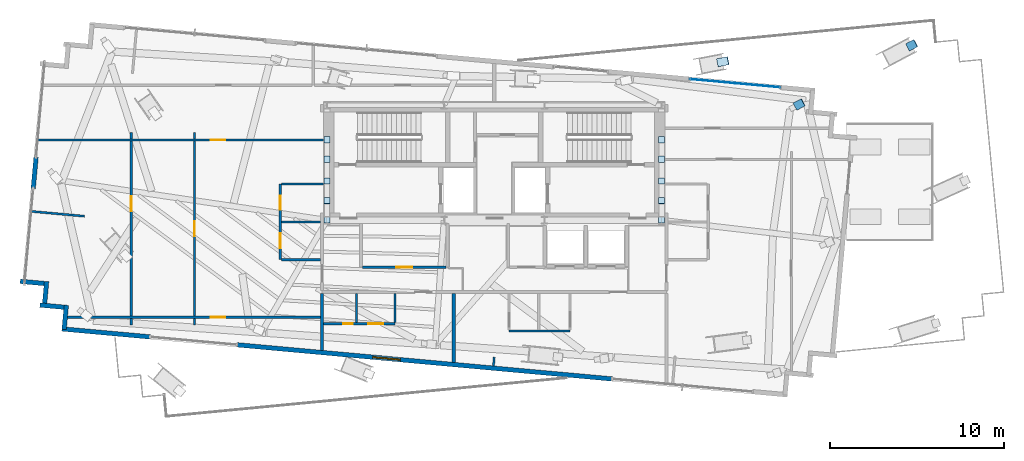
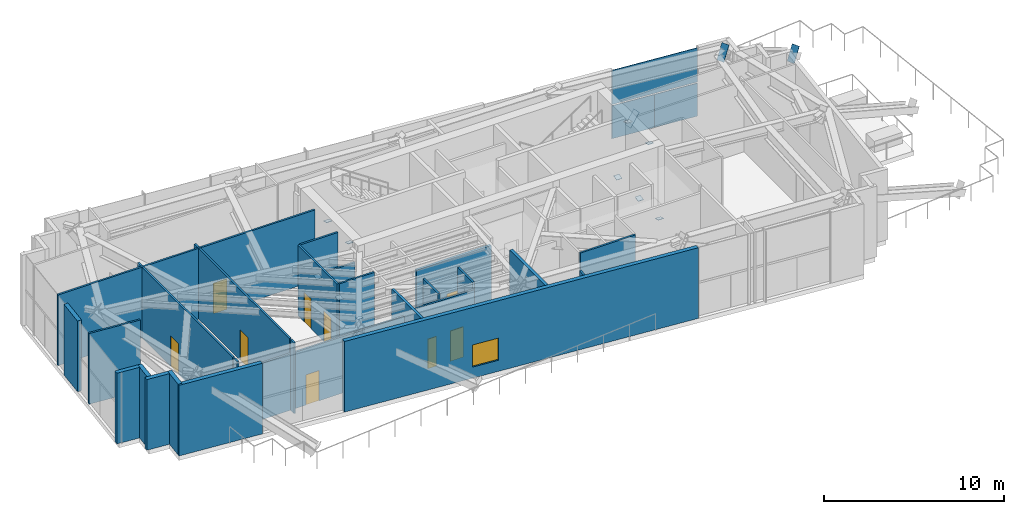
# One storey, part 13 of 20: 28 walls, 16 plates, 9 doors, 1 window, 10 openings, 1 element without a shape of its own.
"""IFC4 building model written with IfcOpenShell, lengths in metres."""

from ifc_helpers import new_model, si_unit, direction, frame, frame_2d, origin, origin_2d, place, context, subcontext, project, spatial, rectangle, extrude, source, transform, mapped, material, layer, layer_set, type_object, type_shapes, element, fill, aggregate, save


model = new_model("IFC4")

# Units and contexts
model_context = context("Model", 3, precision=1e-05, world=origin(), true_north=direction((0.0, 1.0)))
body_context = subcontext(model_context, "Body", "Model", "MODEL_VIEW")
ifc_project = project(units=[si_unit("LENGTHUNIT", "METRE"), si_unit("AREAUNIT", "SQUARE_METRE"), si_unit("VOLUMEUNIT", "CUBIC_METRE"), si_unit("PLANEANGLEUNIT", "RADIAN"), si_unit("MASSUNIT", "GRAM", prefix="KILO")], contexts=[model_context])

# Site, building, storey
site_placement = place(None, origin())
site = spatial("IfcSite", under=ifc_project, at=site_placement, CompositionType="ELEMENT")
building_placement = place(site_placement, origin())
building = spatial("IfcBuilding", under=site, at=building_placement, Name="Astriad Promenade Condominiums", CompositionType="ELEMENT")
storey_placement = place(building_placement, frame((0.0, 0.0, 211.39990234375)))
storey = spatial("IfcBuildingStorey", under=building, at=storey_placement, Name="L61", CompositionType="ELEMENT", Elevation=211.39990234375)

# Plates
ifc_material_1 = material(Name="Steel ASTM A572 Grade 50", Category="steel")
ifc_layer_1 = layer(ifc_material_1, 0.02490234375)
ifc_layer_set_1 = layer_set([ifc_layer_1], Name="Steel ASTM A572 Grade 50")
plate_type_1 = type_object("IfcPlateType", Name="STEEL HOLLOW SECTION END CAP PLATE 30", PredefinedType="USERDEFINED", material=ifc_layer_set_1)
shared_shape_1 = source(origin(), body_context, "Body", "SweptSolid", [
    extrude(rectangle(XDim=0.467529296875, YDim=1.015625, at=origin_2d()), origin(), (0.0, 0.0, 1.0), 0.02490234375),
])
for number, where, z_axis, x_axis, name in (
    (1, (49.125, 26.4931640625, 0.164794921875), (-0.772001612871, -0.149003860975, 0.617908859897), (0.189512129462, -0.981878379835, 0.0), "Hollow Section End Cap Plate COL-PC09-L61-A"),
    (2, (59.96337890625, 27.44140625, 0.18212890625), (-0.757808476716, -0.398596361851, 0.516572601806), (0.465517591586, -0.885038627363, 0.0), "Hollow Section End Cap Plate COL-PC10-L61-A"),
    (3, (53.50439453125, 24.044189453125, 4.585205078125), (-0.757808476716, -0.398596361851, 0.516572601806), (0.465517591586, -0.885038627363, 0.0), "Hollow Section End Cap Plate COL-PC10-L61-B"),
):
    element("IfcPlate", number, at=place(storey_placement, frame(where, z_axis=z_axis, x_axis=x_axis)), inside=storey, type_object=plate_type_1, Name=name, ObjectType="STIFFENER_PLATE", PredefinedType="USERDEFINED", context=body_context, shape_type="MappedRepresentation", body=[
        mapped(shared_shape_1, transform((0.0, 0.0, 0.0), scale=1.0)),
    ])
shared_shape_2 = source(origin(), body_context, "Body", "SweptSolid", [
    extrude(rectangle(XDim=0.348876953125, YDim=0.36279296875, at=origin_2d()), origin(), (0.0, 0.0, 1.0), 0.02490234375),
])
type_shapes(plate_type_1, [shared_shape_1, shared_shape_2])
for number, where, z_axis, x_axis, name in (
    (4, (26.39990234375, 17.400146484375, 0.14013671875), (0.0, 0.243962938919, 0.969784555679), (1.0, 0.0, 0.0), "Hollow Section End Cap Plate BRACE-TR-L61-01A-A"),
    (5, (26.39990234375, 18.515869140625, 4.575927734375), (0.0, 0.243962938919, 0.969784555679), (1.0, 0.0, 0.0), "Hollow Section End Cap Plate BRACE-TR-L61-01A-B"),
    (6, (26.39990234375, 19.643798828125, 0.14013671875), (0.0, -0.243962938919, 0.969784555679), (1.0, 0.0, 0.0), "Hollow Section End Cap Plate BRACE-TR-L61-01B-A"),
    (7, (26.39990234375, 20.89208984375, 4.575927734375), (0.0, 0.243962938919, 0.969784555679), (1.0, 0.0, 0.0), "Hollow Section End Cap Plate BRACE-TR-L61-02A-B"),
    (8, (26.39990234375, 22.019775390625, 0.14013671875), (0.0, -0.243962938919, 0.969784555679), (1.0, 0.0, 0.0), "Hollow Section End Cap Plate BRACE-TR-L61-02B-A"),
    (9, (45.60009765625, 17.400146484375, 0.14013671875), (0.0, 0.243962938919, 0.969784555679), (1.0, 0.0, 0.0), "Hollow Section End Cap Plate BRACE-TR-L61-03A-A"),
    (10, (45.60009765625, 18.515869140625, 4.575927734375), (0.0, 0.243962938919, 0.969784555679), (1.0, 0.0, 0.0), "Hollow Section End Cap Plate BRACE-TR-L61-03A-B"),
    (11, (45.60009765625, 19.643798828125, 0.14013671875), (0.0, -0.243962938919, 0.969784555679), (1.0, 0.0, 0.0), "Hollow Section End Cap Plate BRACE-TR-L61-03B-A"),
    (12, (45.60009765625, 20.89208984375, 4.575927734375), (0.0, 0.243962938919, 0.969784555679), (1.0, 0.0, 0.0), "Hollow Section End Cap Plate BRACE-TR-L61-04A-B"),
    (13, (45.60009765625, 22.019775390625, 0.14013671875), (0.0, -0.243962938919, 0.969784555679), (1.0, 0.0, 0.0), "Hollow Section End Cap Plate BRACE-TR-L61-04B-A"),
):
    element("IfcPlate", number, at=place(storey_placement, frame(where, z_axis=z_axis, x_axis=x_axis)), inside=storey, type_object=plate_type_1, Name=name, ObjectType="STIFFENER_PLATE", PredefinedType="USERDEFINED", context=body_context, shape_type="MappedRepresentation", body=[
        mapped(shared_shape_2, transform((0.0, 0.0, 0.0), scale=1.0)),
    ])

# Curtain wall, plates
ifc_material_2 = material(Name="Anodised aluminium Black Dark Glass Unitised", Category="aluminium")
curtain_wall_type = type_object("IfcCurtainWallType", Name="CW-B5-DARK", PredefinedType="USERDEFINED", material=ifc_material_2)
curtain_wall_placement = place(storey_placement, origin())
curtain_wall = element("IfcCurtainWall", 14, at=curtain_wall_placement, inside=storey, type_object=curtain_wall_type, Name="CW-L61-N-4", ObjectType="UNITISED_CURTAIN_WALL", PredefinedType="USERDEFINED")
ifc_material_3 = material(Name="Dark Tinted Low-E Laminated Glass", Category="glass")
ifc_layer_2 = layer(ifc_material_3, 0.035888671875)
ifc_layer_set_2 = layer_set([ifc_layer_2], Name="Dark Tinted Low-E Laminated Glass")
plate_type_2 = type_object("IfcPlateType", Name="PNL-DARK-GLASS-36", PredefinedType="CURTAIN_PANEL", material=ifc_layer_set_2)
shared_shape_3 = source(origin(), body_context, "Body", "SweptSolid", [
    extrude(rectangle(XDim=2.60302734375, YDim=0.035888671875, at=origin_2d()), origin(), (0.0, 0.0, 1.0), 2.22998046875),
])
plate_1_placement = place(storey_placement, frame((48.510498046875, 25.37646484375, 0.080078125), z_axis=(0.0, 0.0, 1.0), x_axis=(0.995884398616, -0.090632580198, 0.0)))
plate_1 = element("IfcPlate", 15, at=plate_1_placement, type_object=plate_type_2, Name="CW-L61-N-4-PNL-00-VL", PredefinedType="CURTAIN_PANEL", context=body_context, shape_type="MappedRepresentation", body=[
    mapped(shared_shape_3, transform((0.0, 0.0, 0.0), scale=1.0)),
])
plate_2_placement = place(storey_placement, frame((51.114990234375, 25.139404296875, 0.080078125), z_axis=(0.0, 0.0, 1.0), x_axis=(0.995884398616, -0.090632580198, 0.0)))
plate_2 = element("IfcPlate", 16, at=plate_2_placement, type_object=plate_type_2, Name="CW-L61-N-4-PNL-00-VR", PredefinedType="CURTAIN_PANEL", context=body_context, shape_type="MappedRepresentation", body=[
    mapped(shared_shape_3, transform((0.0, 0.0, 0.0), scale=1.0)),
])
shared_shape_4 = source(origin(), body_context, "Body", "SweptSolid", [
    extrude(rectangle(XDim=5.218017578125, YDim=0.035888671875, at=origin_2d()), origin(), (0.0, 0.0, 1.0), 2.31005859375),
])
type_shapes(plate_type_2, [shared_shape_3, shared_shape_4])
plate_3_placement = place(storey_placement, frame((49.812744140625, 25.258056640625, 2.39013671875), z_axis=(0.0, 0.0, 1.0), x_axis=(0.995884398616, -0.090632580198, 0.0)))
plate_3 = element("IfcPlate", 17, at=plate_3_placement, type_object=plate_type_2, Name="CW-L61-N-4-PNL-00-S", PredefinedType="CURTAIN_PANEL", context=body_context, shape_type="MappedRepresentation", body=[
    mapped(shared_shape_4, transform((0.0, 0.0, 0.0), scale=1.0)),
])
aggregate(curtain_wall, [plate_1, plate_2, plate_3])

# Wall
ifc_material_4 = material(Name="Fire-Rated Gypsum Partition")
ifc_layer_3 = layer(ifc_material_4, 0.159912109375)
ifc_layer_set_3 = layer_set([ifc_layer_3], Name="Fire-Rated Gypsum Partition")
wall_type_1 = type_object("IfcWallType", Name="WALL-CORR-160", PredefinedType="PARTITIONING", material=ifc_layer_set_3)
wall_1_placement = place(storey_placement, frame((26.1201171875, 9.93408203125, 0.0), z_axis=(0.0, 0.0, 1.0), x_axis=(0.0, 1.0, 0.0)))
element("IfcWall", 18, at=wall_1_placement, inside=storey, type_object=wall_type_1, Name="PT-COR-W-L61", PredefinedType="PARTITIONING", context=body_context, shape_type="SweptSolid", body=[
    extrude(rectangle(XDim=3.263916015625, YDim=0.159912109375, at=frame_2d((1.6318359375, 0.0))), origin(), (0.0, 0.0, 1.0), 4.780029296875),
])

# Wall, opening, door
wall_2_placement = place(storey_placement, frame((28.44189453125, 14.699951171875, 0.0), z_axis=(0.0, 0.0, 1.0), x_axis=(1.0, 0.0, 0.0)))
wall_2 = element("IfcWall", 19, at=wall_2_placement, inside=storey, type_object=wall_type_1, Name="PT-Z3REC-S-L61", PredefinedType="PARTITIONING", context=body_context, shape_type="SweptSolid", body=[
    extrude(rectangle(XDim=4.796142578125, YDim=0.159912109375, at=frame_2d((2.39794921875, 0.0))), origin(), (0.0, 0.0, 1.0), 4.3447265625),
])
opening_1_placement = place(wall_2_placement, frame((1.947998046875, 0.0, 0.0)))
opening_1 = element("IfcOpeningElement", 20, at=opening_1_placement, cuts=wall_2, Name="Opening D-INT-090", PredefinedType="OPENING", context=body_context, shape_type="SweptSolid", body=[
    extrude(rectangle(XDim=0.89990234375, YDim=2.050048828125, at=frame_2d((0.449951171875, 1.02490234375))), frame((0.0, 0.08984375, 0.0), z_axis=(0.0, -1.0, 0.0), x_axis=(1.0, 0.0, 0.0)), (0.0, 0.0, 1.0), 0.179931640625),
])
ifc_material_5 = material(Name="Painted Solid-Core Timber Bedroom Door", Category="wood")
door_type_1 = type_object("IfcDoorType", Name="D-INT-090", OperationType="NOTDEFINED", PredefinedType="DOOR", material=ifc_material_5)
shared_shape_5 = source(origin(), body_context, "Body", "SweptSolid", [
    extrude(rectangle(XDim=0.89990234375, YDim=2.050048828125, at=frame_2d((0.449951171875, 1.02490234375))), frame((0.0, 0.02490234375, 0.0), z_axis=(0.0, -1.0, 0.0), x_axis=(1.0, 0.0, 0.0)), (0.0, 0.0, 1.0), 0.050048828125),
])
type_shapes(door_type_1, [shared_shape_5])
door_1_placement = place(opening_1_placement, origin())
door_1 = element("IfcDoor", 21, at=door_1_placement, inside=storey, type_object=door_type_1, Name="D-AWC-L61", OperationType="SINGLE_SWING_RIGHT", OverallHeight=2.050048828125, OverallWidth=0.89990234375, PredefinedType="DOOR", context=body_context, shape_type="MappedRepresentation", body=[
    mapped(shared_shape_5, transform((0.0, 0.0, 0.0), scale=1.0)),
])
fill(opening_1, door_1)

# Walls
ifc_material_6 = material(Name="Acoustic Double-Stud Gypsum Partition")
ifc_layer_4 = layer(ifc_material_6, 0.199951171875)
ifc_layer_set_4 = layer_set([ifc_layer_4], Name="Acoustic Double-Stud Gypsum Partition")
wall_type_2 = type_object("IfcWallType", Name="WALL-DEMISING-200", PredefinedType="PARTITIONING", material=ifc_layer_set_4)
wall_3_placement = place(storey_placement, frame((33.678955078125, 9.246337890625, 0.0), z_axis=(0.0, 0.0, 1.0), x_axis=(0.0, 1.0, 0.0)))
element("IfcWall", 22, at=wall_3_placement, inside=storey, type_object=wall_type_2, Name="PT-DEM-S1-L61", PredefinedType="PARTITIONING", context=body_context, shape_type="SweptSolid", body=[
    extrude(rectangle(XDim=3.95166015625, YDim=0.199951171875, at=frame_2d((1.975830078125, 0.0))), origin(), (0.0, 0.0, 1.0), 4.780029296875),
])
ifc_material_7 = material(Name="Precast concrete C50/60", Category="concrete")
ifc_layer_5 = layer(ifc_material_7, 0.260009765625)
ifc_layer_set_5 = layer_set([ifc_layer_5], Name="Precast concrete C50/60")
wall_type_3 = type_object("IfcWallType", Name="WALL-EXT-TWR-260", PredefinedType="STANDARD", material=ifc_layer_set_5)
wall_4_placement = place(storey_placement, frame((11.3193359375, 12.40380859375, 0.0), z_axis=(0.0, 0.0, 1.0), x_axis=(-0.995881721538, 0.090661991521, 0.0)))
element("IfcWall", 23, at=wall_4_placement, inside=storey, type_object=wall_type_3, Name="W-SER-L61-00", PredefinedType="STANDARD", context=body_context, shape_type="SweptSolid", body=[
    extrude(rectangle(XDim=1.39501953125, YDim=0.260009765625, at=frame_2d((0.697509765625, 0.0))), origin(), (0.0, 0.0, 1.0), 4.780029296875),
])
wall_5_placement = place(storey_placement, frame((10.187744140625, 12.49169921875, 0.0), z_axis=(0.0, 0.0, 1.0), x_axis=(0.090646191665, 0.995883159782, 0.0)))
element("IfcWall", 24, at=wall_5_placement, inside=storey, type_object=wall_type_3, Name="W-SER-L61-01", PredefinedType="STANDARD", context=body_context, shape_type="SweptSolid", body=[
    extrude(rectangle(XDim=1.395263671875, YDim=0.260009765625, at=frame_2d((0.69775390625, 0.0))), origin(), (0.0, 0.0, 1.0), 4.780029296875),
])
wall_6_placement = place(storey_placement, frame((10.187744140625, 13.761962890625, 0.0), z_axis=(0.0, 0.0, 1.0), x_axis=(-0.995881721538, 0.090661991521, 0.0)))
element("IfcWall", 25, at=wall_6_placement, inside=storey, type_object=wall_type_3, Name="W-SER-L61-02", PredefinedType="STANDARD", context=body_context, shape_type="SweptSolid", body=[
    extrude(rectangle(XDim=1.39501953125, YDim=0.260009765625, at=frame_2d((0.697509765625, 0.0))), origin(), (0.0, 0.0, 1.0), 4.780029296875),
])
wall_7_placement = place(storey_placement, frame((9.544189453125, 19.212646484375, 0.0), z_axis=(0.0, 0.0, 1.0), x_axis=(0.090731396305, 0.995875400703, 0.0)))
element("IfcWall", 26, at=wall_7_placement, inside=storey, type_object=wall_type_3, Name="W-SGCOL-L61-W-1", PredefinedType="STANDARD", context=body_context, shape_type="SweptSolid", body=[
    extrude(rectangle(XDim=1.800048828125, YDim=0.260009765625, at=frame_2d((0.89990234375, 0.0))), origin(), (0.0, 0.0, 1.0), 4.780029296875),
])

# Wall, opening, window
wall_8_placement = place(storey_placement, frame((42.7607421875, 8.287353515625, 0.0), z_axis=(0.0, 0.0, 1.0), x_axis=(-0.995884956798, 0.090626446601, 0.0)))
wall_8 = element("IfcWall", 27, at=wall_8_placement, inside=storey, type_object=wall_type_3, Name="W-SGCOL-L61-S-2", PredefinedType="STANDARD", context=body_context, shape_type="SweptSolid", body=[
    extrude(rectangle(XDim=21.599853515625, YDim=0.260009765625, at=frame_2d((10.7998046875, 0.0))), origin(), (0.0, 0.0, 1.0), 4.780029296875),
])
opening_2_placement = place(wall_8_placement, frame((12.194091796875, 0.0, 0.75)))
opening_2 = element("IfcOpeningElement", 28, at=opening_2_placement, cuts=wall_8, Name="Opening WIN-TWR-1620", PredefinedType="OPENING", context=body_context, shape_type="SweptSolid", body=[
    extrude(rectangle(XDim=1.60009765625, YDim=1.5, at=frame_2d((0.800048828125, 0.75))), frame((0.0, 0.139892578125, 0.0), z_axis=(0.0, -1.0, 0.0), x_axis=(1.0, 0.0, 0.0)), (0.0, 0.0, 1.0), 0.280029296875),
])
ifc_material_8 = material(Name="Dark Tinted Triple-Glazed Aluminium Window", Category="aluminium")
window_type = type_object("IfcWindowType", Name="WIN-TWR-1620", PartitioningType="SINGLE_PANEL", PredefinedType="WINDOW", material=ifc_material_8)
shared_shape_6 = source(origin(), body_context, "Body", "SweptSolid", [
    extrude(rectangle(XDim=1.60009765625, YDim=1.5, at=frame_2d((0.800048828125, 0.75))), frame((0.0, 0.030029296875, 0.0), z_axis=(0.0, -1.0, 0.0), x_axis=(1.0, 0.0, 0.0)), (0.0, 0.0, 1.0), 0.06005859375),
])
type_shapes(window_type, [shared_shape_6])
window_placement = place(opening_2_placement, origin())
window = element("IfcWindow", 29, at=window_placement, inside=storey, type_object=window_type, Name="WIN-DW-L61-S1-STD", OverallHeight=1.5, OverallWidth=1.60009765625, PartitioningType="SINGLE_PANEL", PredefinedType="WINDOW", context=body_context, shape_type="MappedRepresentation", body=[
    mapped(shared_shape_6, transform((0.0, 0.0, 0.0), scale=1.0)),
])
fill(opening_2, window)

# Walls
wall_9_placement = place(storey_placement, frame((16.26025390625, 10.698974609375, 0.0), z_axis=(0.0, 0.0, 1.0), x_axis=(-0.995882584574, 0.09065251095, 0.0)))
element("IfcWall", 30, at=wall_9_placement, inside=storey, type_object=wall_type_3, Name="W-SGCOL-L61-S-3", PredefinedType="STANDARD", context=body_context, shape_type="SweptSolid", body=[
    extrude(rectangle(XDim=5.090087890625, YDim=0.260009765625, at=frame_2d((2.544921875, 0.0))), origin(), (0.0, 0.0, 1.0), 4.780029296875),
])
wall_10_placement = place(storey_placement, frame((11.3193359375, 11.133544921875, 0.0), z_axis=(0.0, 0.0, 1.0), x_axis=(0.090661991521, 0.995881721538, 0.0)))
element("IfcWall", 31, at=wall_10_placement, inside=storey, type_object=wall_type_3, Name="W-SER-L61-19", PredefinedType="STANDARD", context=body_context, shape_type="SweptSolid", body=[
    extrude(rectangle(XDim=1.39501953125, YDim=0.260009765625, at=frame_2d((0.697509765625, 0.0))), origin(), (0.0, 0.0, 1.0), 4.780029296875),
])

# Wall, openings, doors
ifc_material_9 = material(Name="Acoustic Metal-Stud Gypsum Partition")
ifc_layer_6 = layer(ifc_material_9, 0.1201171875)
ifc_layer_set_6 = layer_set([ifc_layer_6], Name="Acoustic Metal-Stud Gypsum Partition")
wall_type_4 = type_object("IfcWallType", Name="WALL-PART-120", PredefinedType="PARTITIONING", material=ifc_layer_set_6)
wall_11_placement = place(storey_placement, frame((26.201904296875, 11.455078125, 0.0), z_axis=(0.0, 0.0, 1.0), x_axis=(1.0, 0.0, 0.0)))
wall_11 = element("IfcWall", 32, at=wall_11_placement, inside=storey, type_object=wall_type_4, Name="PT-L61-S1-PS", PredefinedType="PARTITIONING", context=body_context, shape_type="SweptSolid", body=[
    extrude(rectangle(XDim=4.09814453125, YDim=0.1201171875, at=frame_2d((2.049072265625, 0.0))), origin(), (0.0, 0.0, 1.0), 4.3447265625),
])
opening_3_placement = place(wall_11_placement, frame((1.139892578125, 0.0, 0.0)))
opening_3 = element("IfcOpeningElement", 33, at=opening_3_placement, cuts=wall_11, Name="Opening D-AC-055", PredefinedType="OPENING", context=body_context, shape_type="SweptSolid", body=[
    extrude(rectangle(XDim=0.550048828125, YDim=2.0, at=frame_2d((0.27490234375, 1.0))), frame((0.0, 0.070068359375, 0.0), z_axis=(0.0, -1.0, 0.0), x_axis=(1.0, 0.0, 0.0)), (0.0, 0.0, 1.0), 0.14013671875),
])
opening_4_placement = place(wall_11_placement, frame((2.572998046875, 0.0, 0.0)))
opening_4 = element("IfcOpeningElement", 34, at=opening_4_placement, cuts=wall_11, Name="Opening D-INT-085", PredefinedType="OPENING", context=body_context, shape_type="SweptSolid", body=[
    extrude(rectangle(XDim=0.85009765625, YDim=2.050048828125, at=frame_2d((0.425048828125, 1.02490234375))), frame((0.0, 0.070068359375, 0.0), z_axis=(0.0, -1.0, 0.0), x_axis=(1.0, 0.0, 0.0)), (0.0, 0.0, 1.0), 0.14013671875),
])
ifc_material_10 = material(Name="Painted Solid-Core Timber Room Door", Category="wood")
door_type_2 = type_object("IfcDoorType", Name="D-INT-085", OperationType="NOTDEFINED", PredefinedType="DOOR", material=ifc_material_10)
shared_shape_7 = source(origin(), body_context, "Body", "SweptSolid", [
    extrude(rectangle(XDim=0.85009765625, YDim=2.050048828125, at=frame_2d((0.425048828125, 1.02490234375))), frame((0.0, 0.02490234375, 0.0), z_axis=(0.0, -1.0, 0.0), x_axis=(1.0, 0.0, 0.0)), (0.0, 0.0, 1.0), 0.050048828125),
])
type_shapes(door_type_2, [shared_shape_7])
door_2_placement = place(opening_4_placement, origin())
door_2 = element("IfcDoor", 35, at=door_2_placement, inside=storey, type_object=door_type_2, Name="D-KIT-L61-S1", OperationType="SINGLE_SWING_LEFT", OverallHeight=2.050048828125, OverallWidth=0.85009765625, PredefinedType="DOOR", context=body_context, shape_type="MappedRepresentation", body=[
    mapped(shared_shape_7, transform((0.0, 0.0, 0.0), scale=1.0)),
])
fill(opening_4, door_2)
ifc_material_11 = material(Name="Painted Timber Access Door", Category="wood")
door_type_3 = type_object("IfcDoorType", Name="D-AC-055", OperationType="NOTDEFINED", PredefinedType="DOOR", material=ifc_material_11)
shared_shape_8 = source(origin(), body_context, "Body", "SweptSolid", [
    extrude(rectangle(XDim=0.550048828125, YDim=2.0, at=frame_2d((0.27490234375, 1.0))), frame((0.0, 0.02490234375, 0.0), z_axis=(0.0, -1.0, 0.0), x_axis=(1.0, 0.0, 0.0)), (0.0, 0.0, 1.0), 0.050048828125),
])
type_shapes(door_type_3, [shared_shape_8])
door_3_placement = place(opening_3_placement, origin())
door_3 = element("IfcDoor", 36, at=door_3_placement, inside=storey, type_object=door_type_3, Name="D-BTH-L61-S1", OperationType="SINGLE_SWING_RIGHT", OverallHeight=2.0, OverallWidth=0.550048828125, PredefinedType="DOOR", context=body_context, shape_type="MappedRepresentation", body=[
    mapped(shared_shape_8, transform((0.0, 0.0, 0.0), scale=1.0)),
])
fill(opening_3, door_3)

# Walls
for number, where, z_axis, x_axis, name in (
    (37, (30.300048828125, 11.51708984375, 0.0), (0.0, 0.0, 1.0), (0.0, 1.0, 0.0), "PT-L61-S1-PK"),
    (38, (28.10009765625, 11.51708984375, 0.0), (0.0, 0.0, 1.0), (0.0, 1.0, 0.0), "PT-L61-S1-PB"),
):
    element("IfcWall", number, at=place(storey_placement, frame(where, z_axis=z_axis, x_axis=x_axis)), inside=storey, type_object=wall_type_4, Name=name, PredefinedType="PARTITIONING", context=body_context, shape_type="SweptSolid", body=[
        extrude(rectangle(XDim=1.680908203125, YDim=0.1201171875, at=frame_2d((0.84033203125, 0.0))), origin(), (0.0, 0.0, 1.0), 4.780029296875),
    ])
wall_12_placement = place(storey_placement, frame((36.85009765625, 11.030029296875, 0.0), z_axis=(0.0, 0.0, 1.0), x_axis=(1.0, 0.0, 0.0)))
element("IfcWall", 39, at=wall_12_placement, inside=storey, type_object=wall_type_4, Name="PT-L61-S2-PS", PredefinedType="PARTITIONING", context=body_context, shape_type="SweptSolid", body=[
    extrude(rectangle(XDim=3.5, YDim=0.1201171875, at=frame_2d((1.75, 0.0))), origin(), (0.0, 0.0, 1.0), 4.780029296875),
])

# Wall, openings, doors
wall_13_placement = place(storey_placement, frame((23.719970703125, 15.1298828125, 0.0), z_axis=(0.0, 0.0, 1.0), x_axis=(0.0, 1.0, 0.0)))
wall_13 = element("IfcWall", 40, at=wall_13_placement, inside=storey, type_object=wall_type_4, Name="PT-L61-W1-PV", PredefinedType="PARTITIONING", context=body_context, shape_type="SweptSolid", body=[
    extrude(rectangle(XDim=4.35009765625, YDim=0.1201171875, at=frame_2d((2.175048828125, 0.0))), origin(), (0.0, 0.0, 1.0), 4.780029296875),
])
opening_5_placement = place(wall_13_placement, frame((0.6630859375, 0.0, 0.0)))
opening_5 = element("IfcOpeningElement", 41, at=opening_5_placement, cuts=wall_13, Name="Opening D-INT-085", PredefinedType="OPENING", context=body_context, shape_type="SweptSolid", body=[
    extrude(rectangle(XDim=0.85009765625, YDim=2.050048828125, at=frame_2d((0.425048828125, 1.02490234375))), frame((0.0, 0.070068359375, 0.0), z_axis=(0.0, -1.0, 0.0), x_axis=(1.0, 0.0, 0.0)), (0.0, 0.0, 1.0), 0.14013671875),
])
opening_6_placement = place(wall_13_placement, frame((2.862060546875, 0.0, 0.0)))
opening_6 = element("IfcOpeningElement", 42, at=opening_6_placement, cuts=wall_13, Name="Opening D-WET-080", PredefinedType="OPENING", context=body_context, shape_type="SweptSolid", body=[
    extrude(rectangle(XDim=0.800048828125, YDim=2.02001953125, at=frame_2d((0.39990234375, 1.010009765625))), frame((0.0, 0.070068359375, 0.0), z_axis=(0.0, -1.0, 0.0), x_axis=(1.0, 0.0, 0.0)), (0.0, 0.0, 1.0), 0.14013671875),
])
ifc_material_12 = material(Name="Moisture-Resistant Timber Bathroom Door", Category="wood")
door_type_4 = type_object("IfcDoorType", Name="D-WET-080", OperationType="NOTDEFINED", PredefinedType="DOOR", material=ifc_material_12)
shared_shape_9 = source(origin(), body_context, "Body", "SweptSolid", [
    extrude(rectangle(XDim=0.800048828125, YDim=2.02001953125, at=frame_2d((0.39990234375, 1.010009765625))), frame((0.0, 0.02490234375, 0.0), z_axis=(0.0, -1.0, 0.0), x_axis=(1.0, 0.0, 0.0)), (0.0, 0.0, 1.0), 0.050048828125),
])
type_shapes(door_type_4, [shared_shape_9])
door_4_placement = place(opening_6_placement, origin())
door_4 = element("IfcDoor", 43, at=door_4_placement, inside=storey, type_object=door_type_4, Name="D-BTH-L61-W1", OperationType="SINGLE_SWING_LEFT", OverallHeight=2.02001953125, OverallWidth=0.800048828125, PredefinedType="DOOR", context=body_context, shape_type="MappedRepresentation", body=[
    mapped(shared_shape_9, transform((0.0, 0.0, 0.0), scale=1.0)),
])
fill(opening_6, door_4)
door_5_placement = place(opening_5_placement, origin())
door_5 = element("IfcDoor", 44, at=door_5_placement, inside=storey, type_object=door_type_2, Name="D-KIT-L61-W1", OperationType="SINGLE_SWING_RIGHT", OverallHeight=2.050048828125, OverallWidth=0.85009765625, PredefinedType="DOOR", context=body_context, shape_type="MappedRepresentation", body=[
    mapped(shared_shape_7, transform((0.0, 0.0, 0.0), scale=1.0)),
])
fill(opening_5, door_5)

# Walls
wall_14_placement = place(storey_placement, frame((23.781982421875, 17.304931640625, 0.0), z_axis=(0.0, 0.0, 1.0), x_axis=(1.0, 0.0, 0.0)))
element("IfcWall", 45, at=wall_14_placement, inside=storey, type_object=wall_type_4, Name="PT-L61-W1-PM", PredefinedType="PARTITIONING", context=body_context, shape_type="SweptSolid", body=[
    extrude(rectangle(XDim=2.256103515625, YDim=0.1201171875, at=frame_2d((1.1279296875, 0.0))), origin(), (0.0, 0.0, 1.0), 4.12158203125),
])
wall_15_placement = place(storey_placement, frame((23.781982421875, 15.1298828125, 0.0), z_axis=(0.0, 0.0, 1.0), x_axis=(1.0, 0.0, 0.0)))
element("IfcWall", 46, at=wall_15_placement, inside=storey, type_object=wall_type_4, Name="PT-L61-W1-PS", PredefinedType="PARTITIONING", context=body_context, shape_type="SweptSolid", body=[
    extrude(rectangle(XDim=2.256103515625, YDim=0.1201171875, at=frame_2d((1.1279296875, 0.0))), origin(), (0.0, 0.0, 1.0), 4.780029296875),
])
wall_16_placement = place(storey_placement, frame((23.781982421875, 19.47998046875, 0.0), z_axis=(0.0, 0.0, 1.0), x_axis=(1.0, 0.0, 0.0)))
element("IfcWall", 47, at=wall_16_placement, inside=storey, type_object=wall_type_4, Name="PT-L61-W1-PN", PredefinedType="PARTITIONING", context=body_context, shape_type="SweptSolid", body=[
    extrude(rectangle(XDim=2.416015625, YDim=0.1201171875, at=frame_2d((1.2080078125, 0.0))), origin(), (0.0, 0.0, 1.0), 4.780029296875),
])

# Wall, opening, door
wall_17_placement = place(storey_placement, frame((9.747802734375, 22.0009765625, 0.0), z_axis=(0.0, 0.0, 1.0), x_axis=(1.0, 0.0, 0.0)))
wall_17 = element("IfcWall", 48, at=wall_17_placement, inside=storey, type_object=wall_type_4, Name="PT-L61-W1-WDN1", PredefinedType="PARTITIONING", context=body_context, shape_type="SweptSolid", body=[
    extrude(rectangle(XDim=16.4501953125, YDim=0.1201171875, at=frame_2d((8.22509765625, 0.0))), origin(), (0.0, 0.0, 1.0), 4.780029296875),
])
opening_7_placement = place(wall_17_placement, frame((9.97412109375, 0.0, 0.0)))
opening_7 = element("IfcOpeningElement", 49, at=opening_7_placement, cuts=wall_17, Name="Opening D-INT-085", PredefinedType="OPENING", context=body_context, shape_type="SweptSolid", body=[
    extrude(rectangle(XDim=0.85009765625, YDim=2.050048828125, at=frame_2d((0.425048828125, 1.02490234375))), frame((0.0, 0.070068359375, 0.0), z_axis=(0.0, -1.0, 0.0), x_axis=(1.0, 0.0, 0.0)), (0.0, 0.0, 1.0), 0.14013671875),
])
door_6_placement = place(opening_7_placement, origin())
door_6 = element("IfcDoor", 50, at=door_6_placement, inside=storey, type_object=door_type_2, Name="D-WDN1-L61-W1", OperationType="SINGLE_SWING_RIGHT", OverallHeight=2.050048828125, OverallWidth=0.85009765625, PredefinedType="DOOR", context=body_context, shape_type="MappedRepresentation", body=[
    mapped(shared_shape_7, transform((0.0, 0.0, 0.0), scale=1.0)),
])
fill(opening_7, door_6)

wall_18_placement = place(storey_placement, frame((11.515380859375, 11.830078125, 0.0), z_axis=(0.0, 0.0, 1.0), x_axis=(1.0, 0.0, 0.0)))
wall_18 = element("IfcWall", 51, at=wall_18_placement, inside=storey, type_object=wall_type_4, Name="PT-L61-W1-WDS2", PredefinedType="PARTITIONING", context=body_context, shape_type="SweptSolid", body=[
    extrude(rectangle(XDim=14.522705078125, YDim=0.1201171875, at=frame_2d((7.26123046875, 0.0))), origin(), (0.0, 0.0, 1.0), 3.81396484375),
])
opening_8_placement = place(wall_18_placement, frame((8.206787109375, 0.0, 0.0)))
opening_8 = element("IfcOpeningElement", 52, at=opening_8_placement, cuts=wall_18, Name="Opening D-INT-085", PredefinedType="OPENING", context=body_context, shape_type="SweptSolid", body=[
    extrude(rectangle(XDim=0.85009765625, YDim=2.050048828125, at=frame_2d((0.425048828125, 1.02490234375))), frame((0.0, 0.070068359375, 0.0), z_axis=(0.0, -1.0, 0.0), x_axis=(1.0, 0.0, 0.0)), (0.0, 0.0, 1.0), 0.14013671875),
])
door_7_placement = place(opening_8_placement, origin())
door_7 = element("IfcDoor", 53, at=door_7_placement, inside=storey, type_object=door_type_2, Name="D-WDS2-L61-W1", OperationType="SINGLE_SWING_LEFT", OverallHeight=2.050048828125, OverallWidth=0.85009765625, PredefinedType="DOOR", context=body_context, shape_type="MappedRepresentation", body=[
    mapped(shared_shape_7, transform((0.0, 0.0, 0.0), scale=1.0)),
])
fill(opening_8, door_7)

# Wall
wall_19_placement = place(storey_placement, frame((15.172119140625, 11.389892578125, 0.0), z_axis=(0.0, 0.0, 1.0), x_axis=(0.0, 1.0, 0.0)))
element("IfcWall", 54, at=wall_19_placement, inside=storey, type_object=wall_type_4, Name="PT-L61-W1-WDV3", PredefinedType="PARTITIONING", context=body_context, shape_type="SweptSolid", body=[
    extrude(rectangle(XDim=0.378173828125, YDim=0.1201171875, at=frame_2d((0.18896484375, 0.0))), origin(), (0.0, 0.0, 1.0), 4.780029296875),
])

# Wall, opening, door
wall_20_placement = place(storey_placement, frame((15.172119140625, 11.89208984375, 0.0), z_axis=(0.0, 0.0, 1.0), x_axis=(0.0, 1.0, 0.0)))
wall_20 = element("IfcWall", 55, at=wall_20_placement, inside=storey, type_object=wall_type_4, Name="PT-L61-W1-WDV3-S2", PredefinedType="PARTITIONING", context=body_context, shape_type="SweptSolid", body=[
    extrude(rectangle(XDim=10.046875, YDim=0.1201171875, at=frame_2d((5.0234375, 0.0))), origin(), (0.0, 0.0, 1.0), 4.780029296875),
])
opening_9_placement = place(wall_20_placement, frame((6.02001953125, 0.0, 0.0)))
opening_9 = element("IfcOpeningElement", 56, at=opening_9_placement, cuts=wall_20, Name="Opening D-INT-085", PredefinedType="OPENING", context=body_context, shape_type="SweptSolid", body=[
    extrude(rectangle(XDim=0.85009765625, YDim=2.050048828125, at=frame_2d((0.425048828125, 1.02490234375))), frame((0.0, 0.070068359375, 0.0), z_axis=(0.0, -1.0, 0.0), x_axis=(1.0, 0.0, 0.0)), (0.0, 0.0, 1.0), 0.14013671875),
])
door_8_placement = place(opening_9_placement, origin())
door_8 = element("IfcDoor", 57, at=door_8_placement, inside=storey, type_object=door_type_2, Name="D-WDV3-L61-W1", OperationType="SINGLE_SWING_RIGHT", OverallHeight=2.050048828125, OverallWidth=0.85009765625, PredefinedType="DOOR", context=body_context, shape_type="MappedRepresentation", body=[
    mapped(shared_shape_7, transform((0.0, 0.0, 0.0), scale=1.0)),
])
fill(opening_9, door_8)

# Walls
wall_21_placement = place(storey_placement, frame((15.172119140625, 22.06298828125, 0.0), z_axis=(0.0, 0.0, 1.0), x_axis=(0.0, 1.0, 0.0)))
element("IfcWall", 58, at=wall_21_placement, inside=storey, type_object=wall_type_4, Name="PT-L61-W1-WDV3-S3", PredefinedType="PARTITIONING", context=body_context, shape_type="SweptSolid", body=[
    extrude(rectangle(XDim=0.3779296875, YDim=0.1201171875, at=frame_2d((0.18896484375, 0.0))), origin(), (0.0, 0.0, 1.0), 4.780029296875),
])
wall_22_placement = place(storey_placement, frame((18.797119140625, 11.389892578125, 0.0), z_axis=(0.0, 0.0, 1.0), x_axis=(0.0, 1.0, 0.0)))
element("IfcWall", 59, at=wall_22_placement, inside=storey, type_object=wall_type_4, Name="PT-L61-W1-WDV4", PredefinedType="PARTITIONING", context=body_context, shape_type="SweptSolid", body=[
    extrude(rectangle(XDim=0.378173828125, YDim=0.1201171875, at=frame_2d((0.18896484375, 0.0))), origin(), (0.0, 0.0, 1.0), 4.780029296875),
])

# Wall, opening, door
wall_23_placement = place(storey_placement, frame((18.797119140625, 11.89208984375, 0.0), z_axis=(0.0, 0.0, 1.0), x_axis=(0.0, 1.0, 0.0)))
wall_23 = element("IfcWall", 60, at=wall_23_placement, inside=storey, type_object=wall_type_4, Name="PT-L61-W1-WDV4-S2", PredefinedType="PARTITIONING", context=body_context, shape_type="SweptSolid", body=[
    extrude(rectangle(XDim=10.046875, YDim=0.1201171875, at=frame_2d((5.0234375, 0.0))), origin(), (0.0, 0.0, 1.0), 4.780029296875),
])
opening_10_placement = place(wall_23_placement, frame((4.597900390625, 0.0, 0.0)))
opening_10 = element("IfcOpeningElement", 61, at=opening_10_placement, cuts=wall_23, Name="Opening D-INT-085", PredefinedType="OPENING", context=body_context, shape_type="SweptSolid", body=[
    extrude(rectangle(XDim=0.85009765625, YDim=2.050048828125, at=frame_2d((0.425048828125, 1.02490234375))), frame((0.0, 0.070068359375, 0.0), z_axis=(0.0, -1.0, 0.0), x_axis=(1.0, 0.0, 0.0)), (0.0, 0.0, 1.0), 0.14013671875),
])
door_9_placement = place(opening_10_placement, origin())
door_9 = element("IfcDoor", 62, at=door_9_placement, inside=storey, type_object=door_type_2, Name="D-WDV4-L61-W1", OperationType="SINGLE_SWING_LEFT", OverallHeight=2.050048828125, OverallWidth=0.85009765625, PredefinedType="DOOR", context=body_context, shape_type="MappedRepresentation", body=[
    mapped(shared_shape_7, transform((0.0, 0.0, 0.0), scale=1.0)),
])
fill(opening_10, door_9)

# Walls
wall_24_placement = place(storey_placement, frame((18.797119140625, 22.06298828125, 0.0), z_axis=(0.0, 0.0, 1.0), x_axis=(0.0, 1.0, 0.0)))
element("IfcWall", 63, at=wall_24_placement, inside=storey, type_object=wall_type_4, Name="PT-L61-W1-WDV4-S3", PredefinedType="PARTITIONING", context=body_context, shape_type="SweptSolid", body=[
    extrude(rectangle(XDim=0.3779296875, YDim=0.1201171875, at=frame_2d((0.18896484375, 0.0))), origin(), (0.0, 0.0, 1.0), 4.780029296875),
])
wall_25_placement = place(storey_placement, frame((36.0, 9.535888671875, 0.0), z_axis=(0.0, 0.0, 1.0), x_axis=(-0.090579892113, -0.995889192202, 0.0)))
element("IfcWall", 64, at=wall_25_placement, inside=storey, type_object=wall_type_4, Name="PT-PIL-L61-PC03-10", PredefinedType="PARTITIONING", context=body_context, shape_type="SweptSolid", body=[
    extrude(rectangle(XDim=0.49853515625, YDim=0.1201171875, at=frame_2d((0.249267578125, 0.0))), origin(), (0.0, 0.0, 1.0), 4.780029296875),
])
wall_26_placement = place(storey_placement, frame((12.4931640625, 17.6259765625, 0.0), z_axis=(0.0, 0.0, 1.0), x_axis=(-0.995885532106, 0.090620124378, 0.0)))
element("IfcWall", 65, at=wall_26_placement, inside=storey, type_object=wall_type_4, Name="PT-PIL-L61-PC11-18", PredefinedType="PARTITIONING", context=body_context, shape_type="SweptSolid", body=[
    extrude(rectangle(XDim=3.130615234375, YDim=0.1201171875, at=frame_2d((1.5654296875, 0.0))), origin(), (0.0, 0.0, 1.0), 4.780029296875),
])

save(model, "model.ifc")
